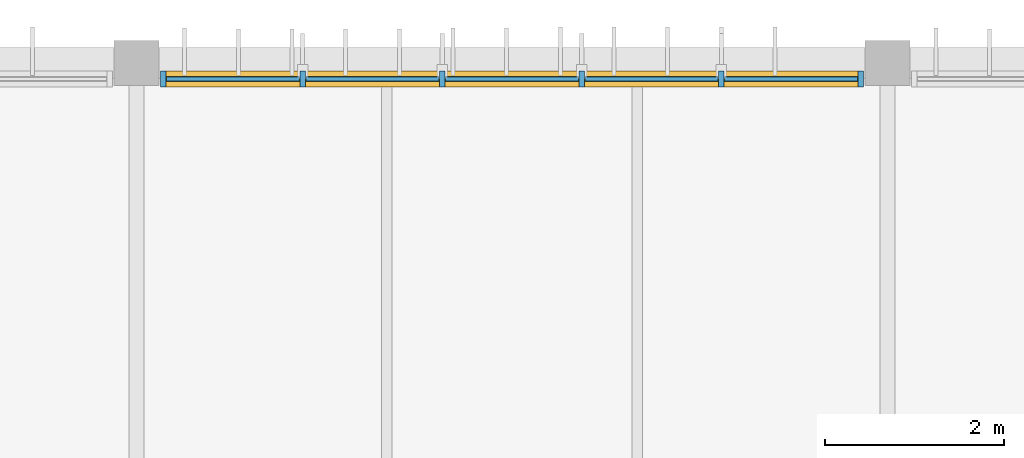
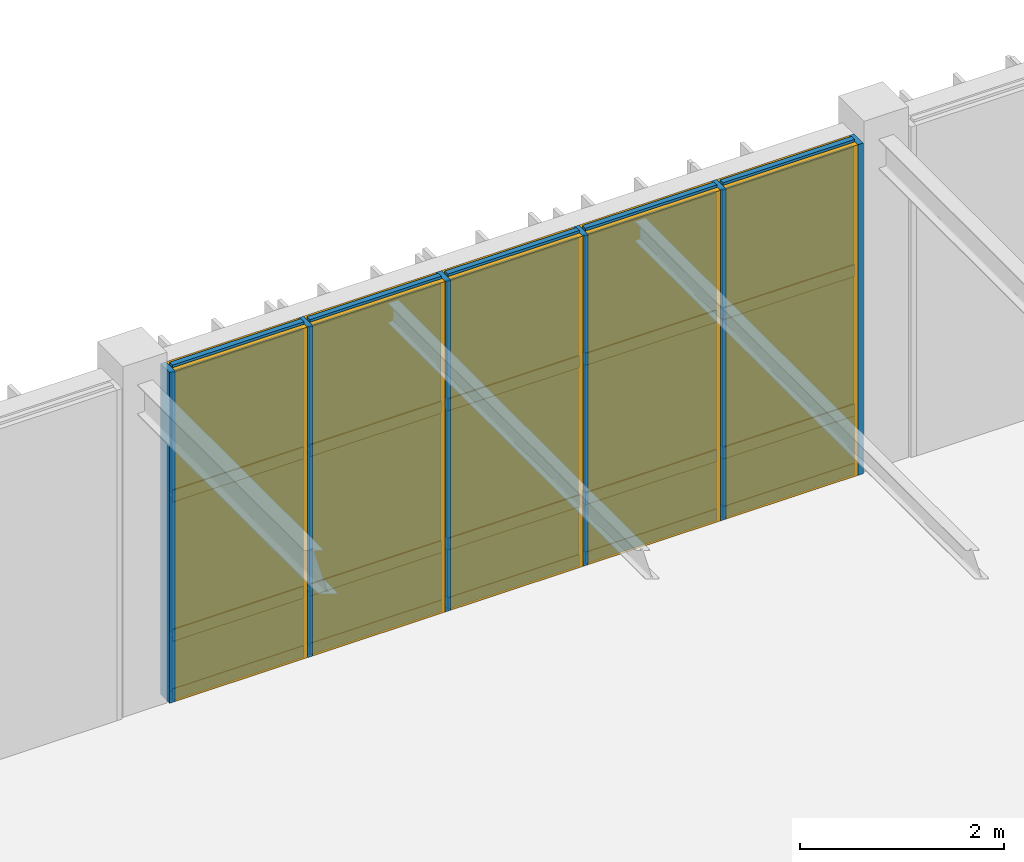
# One storey, part 88 of 104: 26 members, 15 plates, 1 curtain wall.
"""IFC4 building model written with IfcOpenShell, lengths in metres."""

from ifc_helpers import new_model, si_unit, direction, frame, frame_2d, origin, origin_2d, place, context, subcontext, project, spatial, rectangle, extrude, material, layer, layer_set, material_profile, profile_set, type_object, element, aggregate, save


model = new_model("IFC4")

# Units and contexts
model_context = context("Model", 3, precision=1e-05, world=origin(), true_north=direction((0.0, 1.0)))
body_context = subcontext(model_context, "Body", "Model", "MODEL_VIEW")
ifc_project = project(units=[si_unit("LENGTHUNIT", "METRE"), si_unit("AREAUNIT", "SQUARE_METRE"), si_unit("VOLUMEUNIT", "CUBIC_METRE"), si_unit("PLANEANGLEUNIT", "RADIAN"), si_unit("MASSUNIT", "GRAM", prefix="KILO")], contexts=[model_context])

# Member
ifc_material_1 = material(Name="Anodised Bronze Aluminium 6063-T6", Category="aluminium")
ifc_material_profile_1 = material_profile(ifc_material_1, rectangle(XDim=0.06005859375, YDim=0.179931640625, at=origin_2d()), Name="ALU MULLION 60x180")
ifc_profile_set_1 = profile_set([ifc_material_profile_1], Name="Anodised Bronze Aluminium 6063-T6")
member_type_1 = type_object("IfcMemberType", Name="Curtain-Wall Primary Mullion 60x180", PredefinedType="MULLION", material=ifc_profile_set_1)
site_placement = place(None, origin())
building_placement = place(site_placement, origin())
storey_placement = place(building_placement, frame((0.0, 0.0, 9.0)))
member_1_placement = place(storey_placement, frame((134.10009765625, 111.6201171875, 0.0), z_axis=(0.0, 0.0, 1.0), x_axis=(1.0, 0.0, 0.0)))
member_1 = element("IfcMember", 1, at=member_1_placement, type_object=member_type_1, Name="Mullion CWM-01 CW-V3-N3-L02-B2-M01", PredefinedType="MULLION", context=body_context, shape_type="SweptSolid", body=[
    extrude(rectangle(XDim=0.06005859375, YDim=0.179931640625, at=origin_2d()), origin(), (0.0, 0.0, 1.0), 3.9599609375),
])

member_2_placement = place(storey_placement, frame((135.659912109375, 111.6201171875, 0.0), z_axis=(0.0, 0.0, 1.0), x_axis=(1.0, 0.0, 0.0)))
member_2 = element("IfcMember", 2, at=member_2_placement, type_object=member_type_1, Name="Mullion CWM-01 CW-V3-N3-L02-B2-M02", PredefinedType="MULLION", context=body_context, shape_type="SweptSolid", body=[
    extrude(rectangle(XDim=0.06005859375, YDim=0.179931640625, at=origin_2d()), origin(), (0.0, 0.0, 1.0), 3.9599609375),
])

member_3_placement = place(storey_placement, frame((137.219970703125, 111.6201171875, 0.0), z_axis=(0.0, 0.0, 1.0), x_axis=(1.0, 0.0, 0.0)))
member_3 = element("IfcMember", 3, at=member_3_placement, type_object=member_type_1, Name="Mullion CWM-01 CW-V3-N3-L02-B2-M03", PredefinedType="MULLION", context=body_context, shape_type="SweptSolid", body=[
    extrude(rectangle(XDim=0.06005859375, YDim=0.179931640625, at=origin_2d()), origin(), (0.0, 0.0, 1.0), 3.9599609375),
])

member_4_placement = place(storey_placement, frame((138.780029296875, 111.6201171875, 0.0), z_axis=(0.0, 0.0, 1.0), x_axis=(1.0, 0.0, 0.0)))
member_4 = element("IfcMember", 4, at=member_4_placement, type_object=member_type_1, Name="Mullion CWM-01 CW-V3-N3-L02-B2-M04", PredefinedType="MULLION", context=body_context, shape_type="SweptSolid", body=[
    extrude(rectangle(XDim=0.06005859375, YDim=0.179931640625, at=origin_2d()), origin(), (0.0, 0.0, 1.0), 3.9599609375),
])

member_5_placement = place(storey_placement, frame((140.340087890625, 111.6201171875, 0.0), z_axis=(0.0, 0.0, 1.0), x_axis=(1.0, 0.0, 0.0)))
member_5 = element("IfcMember", 5, at=member_5_placement, type_object=member_type_1, Name="Mullion CWM-01 CW-V3-N3-L02-B2-M05", PredefinedType="MULLION", context=body_context, shape_type="SweptSolid", body=[
    extrude(rectangle(XDim=0.06005859375, YDim=0.179931640625, at=origin_2d()), origin(), (0.0, 0.0, 1.0), 3.9599609375),
])

member_6_placement = place(storey_placement, frame((141.89990234375, 111.6201171875, 0.0), z_axis=(0.0, 0.0, 1.0), x_axis=(1.0, 0.0, 0.0)))
member_6 = element("IfcMember", 6, at=member_6_placement, type_object=member_type_1, Name="Mullion CWM-01 CW-V3-N3-L02-B2-M06", PredefinedType="MULLION", context=body_context, shape_type="SweptSolid", body=[
    extrude(rectangle(XDim=0.06005859375, YDim=0.179931640625, at=origin_2d()), origin(), (0.0, 0.0, 1.0), 3.9599609375),
])

ifc_material_profile_2 = material_profile(ifc_material_1, rectangle(XDim=0.06005859375, YDim=0.139892578125, at=origin_2d()), Name="ALU TRANSOM 60x140")
ifc_profile_set_2 = profile_set([ifc_material_profile_2], Name="Anodised Bronze Aluminium 6063-T6")
member_type_2 = type_object("IfcMemberType", Name="Curtain-Wall Transom 60x140", PredefinedType="USERDEFINED", material=ifc_profile_set_2)
member_7_placement = place(storey_placement, frame((134.135009765625, 111.6201171875, 0.0400390625), z_axis=(1.0, 0.0, 0.0), x_axis=(0.0, 1.0, 0.0)))
member_7 = element("IfcMember", 7, at=member_7_placement, type_object=member_type_2, Name="Transom CWT-01 CW-V3-N3-L02-B2-T01.1", ObjectType="TRANSOM", PredefinedType="USERDEFINED", context=body_context, shape_type="SweptSolid", body=[
    extrude(rectangle(XDim=0.06005859375, YDim=0.139892578125, at=origin_2d()), origin(), (0.0, 0.0, 1.0), 1.489990234375),
])

member_8_placement = place(storey_placement, frame((134.135009765625, 111.6201171875, 0.75), z_axis=(1.0, 0.0, 0.0), x_axis=(0.0, 1.0, 0.0)))
member_8 = element("IfcMember", 8, at=member_8_placement, type_object=member_type_2, Name="Transom CWT-01 CW-V3-N3-L02-B2-T01.2", ObjectType="TRANSOM", PredefinedType="USERDEFINED", context=body_context, shape_type="SweptSolid", body=[
    extrude(rectangle(XDim=0.06005859375, YDim=0.139892578125, at=origin_2d()), origin(), (0.0, 0.0, 1.0), 1.489990234375),
])

member_9_placement = place(storey_placement, frame((134.135009765625, 111.6201171875, 2.419189453125), z_axis=(1.0, 0.0, 0.0), x_axis=(0.0, 1.0, 0.0)))
member_9 = element("IfcMember", 9, at=member_9_placement, type_object=member_type_2, Name="Transom CWT-01 CW-V3-N3-L02-B2-T01.3", ObjectType="TRANSOM", PredefinedType="USERDEFINED", context=body_context, shape_type="SweptSolid", body=[
    extrude(rectangle(XDim=0.06005859375, YDim=0.139892578125, at=origin_2d()), origin(), (0.0, 0.0, 1.0), 1.489990234375),
])

member_10_placement = place(storey_placement, frame((134.135009765625, 111.6201171875, 3.919921875), z_axis=(1.0, 0.0, 0.0), x_axis=(0.0, 1.0, 0.0)))
member_10 = element("IfcMember", 10, at=member_10_placement, type_object=member_type_2, Name="Transom CWT-01 CW-V3-N3-L02-B2-T01.4", ObjectType="TRANSOM", PredefinedType="USERDEFINED", context=body_context, shape_type="SweptSolid", body=[
    extrude(rectangle(XDim=0.06005859375, YDim=0.139892578125, at=origin_2d()), origin(), (0.0, 0.0, 1.0), 1.489990234375),
])

member_11_placement = place(storey_placement, frame((135.695068359375, 111.6201171875, 0.0400390625), z_axis=(1.0, 0.0, 0.0), x_axis=(0.0, 1.0, 0.0)))
member_11 = element("IfcMember", 11, at=member_11_placement, type_object=member_type_2, Name="Transom CWT-01 CW-V3-N3-L02-B2-T02.1", ObjectType="TRANSOM", PredefinedType="USERDEFINED", context=body_context, shape_type="SweptSolid", body=[
    extrude(rectangle(XDim=0.06005859375, YDim=0.139892578125, at=origin_2d()), origin(), (0.0, 0.0, 1.0), 1.489990234375),
])

member_12_placement = place(storey_placement, frame((135.695068359375, 111.6201171875, 0.75), z_axis=(1.0, 0.0, 0.0), x_axis=(0.0, 1.0, 0.0)))
member_12 = element("IfcMember", 12, at=member_12_placement, type_object=member_type_2, Name="Transom CWT-01 CW-V3-N3-L02-B2-T02.2", ObjectType="TRANSOM", PredefinedType="USERDEFINED", context=body_context, shape_type="SweptSolid", body=[
    extrude(rectangle(XDim=0.06005859375, YDim=0.139892578125, at=origin_2d()), origin(), (0.0, 0.0, 1.0), 1.489990234375),
])

member_13_placement = place(storey_placement, frame((135.695068359375, 111.6201171875, 2.419189453125), z_axis=(1.0, 0.0, 0.0), x_axis=(0.0, 1.0, 0.0)))
member_13 = element("IfcMember", 13, at=member_13_placement, type_object=member_type_2, Name="Transom CWT-01 CW-V3-N3-L02-B2-T02.3", ObjectType="TRANSOM", PredefinedType="USERDEFINED", context=body_context, shape_type="SweptSolid", body=[
    extrude(rectangle(XDim=0.06005859375, YDim=0.139892578125, at=origin_2d()), origin(), (0.0, 0.0, 1.0), 1.489990234375),
])

member_14_placement = place(storey_placement, frame((135.695068359375, 111.6201171875, 3.919921875), z_axis=(1.0, 0.0, 0.0), x_axis=(0.0, 1.0, 0.0)))
member_14 = element("IfcMember", 14, at=member_14_placement, type_object=member_type_2, Name="Transom CWT-01 CW-V3-N3-L02-B2-T02.4", ObjectType="TRANSOM", PredefinedType="USERDEFINED", context=body_context, shape_type="SweptSolid", body=[
    extrude(rectangle(XDim=0.06005859375, YDim=0.139892578125, at=origin_2d()), origin(), (0.0, 0.0, 1.0), 1.489990234375),
])

member_15_placement = place(storey_placement, frame((137.2548828125, 111.6201171875, 0.0400390625), z_axis=(1.0, 0.0, 0.0), x_axis=(0.0, 1.0, 0.0)))
member_15 = element("IfcMember", 15, at=member_15_placement, type_object=member_type_2, Name="Transom CWT-01 CW-V3-N3-L02-B2-T03.1", ObjectType="TRANSOM", PredefinedType="USERDEFINED", context=body_context, shape_type="SweptSolid", body=[
    extrude(rectangle(XDim=0.06005859375, YDim=0.139892578125, at=origin_2d()), origin(), (0.0, 0.0, 1.0), 1.490234375),
])

member_16_placement = place(storey_placement, frame((137.2548828125, 111.6201171875, 0.75), z_axis=(1.0, 0.0, 0.0), x_axis=(0.0, 1.0, 0.0)))
member_16 = element("IfcMember", 16, at=member_16_placement, type_object=member_type_2, Name="Transom CWT-01 CW-V3-N3-L02-B2-T03.2", ObjectType="TRANSOM", PredefinedType="USERDEFINED", context=body_context, shape_type="SweptSolid", body=[
    extrude(rectangle(XDim=0.06005859375, YDim=0.139892578125, at=origin_2d()), origin(), (0.0, 0.0, 1.0), 1.490234375),
])

member_17_placement = place(storey_placement, frame((137.2548828125, 111.6201171875, 2.419189453125), z_axis=(1.0, 0.0, 0.0), x_axis=(0.0, 1.0, 0.0)))
member_17 = element("IfcMember", 17, at=member_17_placement, type_object=member_type_2, Name="Transom CWT-01 CW-V3-N3-L02-B2-T03.3", ObjectType="TRANSOM", PredefinedType="USERDEFINED", context=body_context, shape_type="SweptSolid", body=[
    extrude(rectangle(XDim=0.06005859375, YDim=0.139892578125, at=origin_2d()), origin(), (0.0, 0.0, 1.0), 1.490234375),
])

member_18_placement = place(storey_placement, frame((137.2548828125, 111.6201171875, 3.919921875), z_axis=(1.0, 0.0, 0.0), x_axis=(0.0, 1.0, 0.0)))
member_18 = element("IfcMember", 18, at=member_18_placement, type_object=member_type_2, Name="Transom CWT-01 CW-V3-N3-L02-B2-T03.4", ObjectType="TRANSOM", PredefinedType="USERDEFINED", context=body_context, shape_type="SweptSolid", body=[
    extrude(rectangle(XDim=0.06005859375, YDim=0.139892578125, at=origin_2d()), origin(), (0.0, 0.0, 1.0), 1.490234375),
])

member_19_placement = place(storey_placement, frame((138.81494140625, 111.6201171875, 0.0400390625), z_axis=(1.0, 0.0, 0.0), x_axis=(0.0, 1.0, 0.0)))
member_19 = element("IfcMember", 19, at=member_19_placement, type_object=member_type_2, Name="Transom CWT-01 CW-V3-N3-L02-B2-T04.1", ObjectType="TRANSOM", PredefinedType="USERDEFINED", context=body_context, shape_type="SweptSolid", body=[
    extrude(rectangle(XDim=0.06005859375, YDim=0.139892578125, at=origin_2d()), origin(), (0.0, 0.0, 1.0), 1.489990234375),
])

member_20_placement = place(storey_placement, frame((138.81494140625, 111.6201171875, 0.75), z_axis=(1.0, 0.0, 0.0), x_axis=(0.0, 1.0, 0.0)))
member_20 = element("IfcMember", 20, at=member_20_placement, type_object=member_type_2, Name="Transom CWT-01 CW-V3-N3-L02-B2-T04.2", ObjectType="TRANSOM", PredefinedType="USERDEFINED", context=body_context, shape_type="SweptSolid", body=[
    extrude(rectangle(XDim=0.06005859375, YDim=0.139892578125, at=origin_2d()), origin(), (0.0, 0.0, 1.0), 1.489990234375),
])

member_21_placement = place(storey_placement, frame((138.81494140625, 111.6201171875, 2.419189453125), z_axis=(1.0, 0.0, 0.0), x_axis=(0.0, 1.0, 0.0)))
member_21 = element("IfcMember", 21, at=member_21_placement, type_object=member_type_2, Name="Transom CWT-01 CW-V3-N3-L02-B2-T04.3", ObjectType="TRANSOM", PredefinedType="USERDEFINED", context=body_context, shape_type="SweptSolid", body=[
    extrude(rectangle(XDim=0.06005859375, YDim=0.139892578125, at=origin_2d()), origin(), (0.0, 0.0, 1.0), 1.489990234375),
])

member_22_placement = place(storey_placement, frame((138.81494140625, 111.6201171875, 3.919921875), z_axis=(1.0, 0.0, 0.0), x_axis=(0.0, 1.0, 0.0)))
member_22 = element("IfcMember", 22, at=member_22_placement, type_object=member_type_2, Name="Transom CWT-01 CW-V3-N3-L02-B2-T04.4", ObjectType="TRANSOM", PredefinedType="USERDEFINED", context=body_context, shape_type="SweptSolid", body=[
    extrude(rectangle(XDim=0.06005859375, YDim=0.139892578125, at=origin_2d()), origin(), (0.0, 0.0, 1.0), 1.489990234375),
])

member_23_placement = place(storey_placement, frame((140.375, 111.6201171875, 0.0400390625), z_axis=(1.0, 0.0, 0.0), x_axis=(0.0, 1.0, 0.0)))
member_23 = element("IfcMember", 23, at=member_23_placement, type_object=member_type_2, Name="Transom CWT-01 CW-V3-N3-L02-B2-T05.1", ObjectType="TRANSOM", PredefinedType="USERDEFINED", context=body_context, shape_type="SweptSolid", body=[
    extrude(rectangle(XDim=0.06005859375, YDim=0.139892578125, at=origin_2d()), origin(), (0.0, 0.0, 1.0), 1.489990234375),
])

member_24_placement = place(storey_placement, frame((140.375, 111.6201171875, 0.75), z_axis=(1.0, 0.0, 0.0), x_axis=(0.0, 1.0, 0.0)))
member_24 = element("IfcMember", 24, at=member_24_placement, type_object=member_type_2, Name="Transom CWT-01 CW-V3-N3-L02-B2-T05.2", ObjectType="TRANSOM", PredefinedType="USERDEFINED", context=body_context, shape_type="SweptSolid", body=[
    extrude(rectangle(XDim=0.06005859375, YDim=0.139892578125, at=origin_2d()), origin(), (0.0, 0.0, 1.0), 1.489990234375),
])

member_25_placement = place(storey_placement, frame((140.375, 111.6201171875, 2.419189453125), z_axis=(1.0, 0.0, 0.0), x_axis=(0.0, 1.0, 0.0)))
member_25 = element("IfcMember", 25, at=member_25_placement, type_object=member_type_2, Name="Transom CWT-01 CW-V3-N3-L02-B2-T05.3", ObjectType="TRANSOM", PredefinedType="USERDEFINED", context=body_context, shape_type="SweptSolid", body=[
    extrude(rectangle(XDim=0.06005859375, YDim=0.139892578125, at=origin_2d()), origin(), (0.0, 0.0, 1.0), 1.489990234375),
])

member_26_placement = place(storey_placement, frame((140.375, 111.6201171875, 3.919921875), z_axis=(1.0, 0.0, 0.0), x_axis=(0.0, 1.0, 0.0)))
member_26 = element("IfcMember", 26, at=member_26_placement, type_object=member_type_2, Name="Transom CWT-01 CW-V3-N3-L02-B2-T05.4", ObjectType="TRANSOM", PredefinedType="USERDEFINED", context=body_context, shape_type="SweptSolid", body=[
    extrude(rectangle(XDim=0.06005859375, YDim=0.139892578125, at=origin_2d()), origin(), (0.0, 0.0, 1.0), 1.489990234375),
])

# Plate
ifc_material_2 = material(Name="Insulated Bronze Aluminium Spandrel Panel", Category="aluminium")
ifc_layer_1 = layer(ifc_material_2, 0.050048828125, Name="Insulated Bronze Aluminium Spandrel Panel")
ifc_layer_set_1 = layer_set([ifc_layer_1], Name="Insulated Bronze Aluminium Spandrel Panel")
plate_type_1 = type_object("IfcPlateType", Name="Insulated Anodised Aluminium Spandrel Cassette 50", PredefinedType="CURTAIN_PANEL", material=ifc_layer_set_1)
plate_1_placement = place(storey_placement, frame((134.8798828125, 111.6201171875, 0.070068359375), z_axis=(0.0, 0.0, 1.0), x_axis=(1.0, 0.0, 0.0)))
plate_1 = element("IfcPlate", 27, at=plate_1_placement, type_object=plate_type_1, Name="Curtain Panel CWP-03 CW-V3-N3-L02-B2-P01.1", PredefinedType="CURTAIN_PANEL", context=body_context, shape_type="SweptSolid", body=[
    extrude(rectangle(XDim=1.489990234375, YDim=0.050048828125, at=origin_2d()), origin(), (0.0, 0.0, 1.0), 0.64990234375),
])

plate_2_placement = place(storey_placement, frame((136.43994140625, 111.6201171875, 0.070068359375), z_axis=(0.0, 0.0, 1.0), x_axis=(1.0, 0.0, 0.0)))
plate_2 = element("IfcPlate", 28, at=plate_2_placement, type_object=plate_type_1, Name="Curtain Panel CWP-03 CW-V3-N3-L02-B2-P02.1", PredefinedType="CURTAIN_PANEL", context=body_context, shape_type="SweptSolid", body=[
    extrude(rectangle(XDim=1.489990234375, YDim=0.050048828125, at=origin_2d()), origin(), (0.0, 0.0, 1.0), 0.64990234375),
])

plate_3_placement = place(storey_placement, frame((138.0, 111.6201171875, 0.070068359375), z_axis=(0.0, 0.0, 1.0), x_axis=(1.0, 0.0, 0.0)))
plate_3 = element("IfcPlate", 29, at=plate_3_placement, type_object=plate_type_1, Name="Curtain Panel CWP-03 CW-V3-N3-L02-B2-P03.1", PredefinedType="CURTAIN_PANEL", context=body_context, shape_type="SweptSolid", body=[
    extrude(rectangle(XDim=1.489990234375, YDim=0.050048828125, at=origin_2d()), origin(), (0.0, 0.0, 1.0), 0.64990234375),
])

plate_4_placement = place(storey_placement, frame((139.56005859375, 111.6201171875, 0.070068359375), z_axis=(0.0, 0.0, 1.0), x_axis=(1.0, 0.0, 0.0)))
plate_4 = element("IfcPlate", 30, at=plate_4_placement, type_object=plate_type_1, Name="Curtain Panel CWP-03 CW-V3-N3-L02-B2-P04.1", PredefinedType="CURTAIN_PANEL", context=body_context, shape_type="SweptSolid", body=[
    extrude(rectangle(XDim=1.489990234375, YDim=0.050048828125, at=origin_2d()), origin(), (0.0, 0.0, 1.0), 0.64990234375),
])

plate_5_placement = place(storey_placement, frame((141.1201171875, 111.6201171875, 0.070068359375), z_axis=(0.0, 0.0, 1.0), x_axis=(1.0, 0.0, 0.0)))
plate_5 = element("IfcPlate", 31, at=plate_5_placement, type_object=plate_type_1, Name="Curtain Panel CWP-03 CW-V3-N3-L02-B2-P05.1", PredefinedType="CURTAIN_PANEL", context=body_context, shape_type="SweptSolid", body=[
    extrude(rectangle(XDim=1.489990234375, YDim=0.050048828125, at=origin_2d()), origin(), (0.0, 0.0, 1.0), 0.64990234375),
])

ifc_material_3 = material(Name="Solar-Control Tempered Double Glazing", Category="glass")
ifc_layer_2 = layer(ifc_material_3, 0.0380859375, Name="Solar-Control Tempered Double Glazing")
ifc_layer_set_2 = layer_set([ifc_layer_2], Name="Solar-Control Tempered Double Glazing")
plate_type_2 = type_object("IfcPlateType", Name="Solar-Control Vision Glazing Unit 38", PredefinedType="CURTAIN_PANEL", material=ifc_layer_set_2)
plate_6_placement = place(storey_placement, frame((134.8798828125, 111.6201171875, 0.7802734375), z_axis=(0.0, 0.0, 1.0), x_axis=(1.0, 0.0, 0.0)))
plate_6 = element("IfcPlate", 32, at=plate_6_placement, type_object=plate_type_2, Name="Curtain Panel CWP-02 CW-V3-N3-L02-B2-P01.2", PredefinedType="CURTAIN_PANEL", context=body_context, shape_type="SweptSolid", body=[
    extrude(rectangle(XDim=1.489990234375, YDim=0.0380859375, at=origin_2d()), origin(), (0.0, 0.0, 1.0), 1.609130859375),
])

plate_7_placement = place(storey_placement, frame((134.8798828125, 111.6201171875, 2.44921875), z_axis=(0.0, 0.0, 1.0), x_axis=(1.0, 0.0, 0.0)))
plate_7 = element("IfcPlate", 33, at=plate_7_placement, type_object=plate_type_2, Name="Curtain Panel CWP-02 CW-V3-N3-L02-B2-P01.3", PredefinedType="CURTAIN_PANEL", context=body_context, shape_type="SweptSolid", body=[
    extrude(rectangle(XDim=1.489990234375, YDim=0.0380859375, at=origin_2d()), origin(), (0.0, 0.0, 1.0), 1.44091796875),
])

plate_8_placement = place(storey_placement, frame((136.43994140625, 111.6201171875, 0.7802734375), z_axis=(0.0, 0.0, 1.0), x_axis=(1.0, 0.0, 0.0)))
plate_8 = element("IfcPlate", 34, at=plate_8_placement, type_object=plate_type_2, Name="Curtain Panel CWP-02 CW-V3-N3-L02-B2-P02.2", PredefinedType="CURTAIN_PANEL", context=body_context, shape_type="SweptSolid", body=[
    extrude(rectangle(XDim=1.489990234375, YDim=0.0380859375, at=origin_2d()), origin(), (0.0, 0.0, 1.0), 1.609130859375),
])

plate_9_placement = place(storey_placement, frame((136.43994140625, 111.6201171875, 2.44921875), z_axis=(0.0, 0.0, 1.0), x_axis=(1.0, 0.0, 0.0)))
plate_9 = element("IfcPlate", 35, at=plate_9_placement, type_object=plate_type_2, Name="Curtain Panel CWP-02 CW-V3-N3-L02-B2-P02.3", PredefinedType="CURTAIN_PANEL", context=body_context, shape_type="SweptSolid", body=[
    extrude(rectangle(XDim=1.489990234375, YDim=0.0380859375, at=origin_2d()), origin(), (0.0, 0.0, 1.0), 1.44091796875),
])

plate_10_placement = place(storey_placement, frame((138.0, 111.6201171875, 0.7802734375), z_axis=(0.0, 0.0, 1.0), x_axis=(1.0, 0.0, 0.0)))
plate_10 = element("IfcPlate", 36, at=plate_10_placement, type_object=plate_type_2, Name="Curtain Panel CWP-02 CW-V3-N3-L02-B2-P03.2", PredefinedType="CURTAIN_PANEL", context=body_context, shape_type="SweptSolid", body=[
    extrude(rectangle(XDim=1.489990234375, YDim=0.0380859375, at=origin_2d()), origin(), (0.0, 0.0, 1.0), 1.609130859375),
])

plate_11_placement = place(storey_placement, frame((138.0, 111.6201171875, 2.44921875), z_axis=(0.0, 0.0, 1.0), x_axis=(1.0, 0.0, 0.0)))
plate_11 = element("IfcPlate", 37, at=plate_11_placement, type_object=plate_type_2, Name="Curtain Panel CWP-02 CW-V3-N3-L02-B2-P03.3", PredefinedType="CURTAIN_PANEL", context=body_context, shape_type="SweptSolid", body=[
    extrude(rectangle(XDim=1.489990234375, YDim=0.0380859375, at=origin_2d()), origin(), (0.0, 0.0, 1.0), 1.44091796875),
])

plate_12_placement = place(storey_placement, frame((139.56005859375, 111.6201171875, 0.7802734375), z_axis=(0.0, 0.0, 1.0), x_axis=(1.0, 0.0, 0.0)))
plate_12 = element("IfcPlate", 38, at=plate_12_placement, type_object=plate_type_2, Name="Curtain Panel CWP-02 CW-V3-N3-L02-B2-P04.2", PredefinedType="CURTAIN_PANEL", context=body_context, shape_type="SweptSolid", body=[
    extrude(rectangle(XDim=1.489990234375, YDim=0.0380859375, at=origin_2d()), origin(), (0.0, 0.0, 1.0), 1.609130859375),
])

plate_13_placement = place(storey_placement, frame((139.56005859375, 111.6201171875, 2.44921875), z_axis=(0.0, 0.0, 1.0), x_axis=(1.0, 0.0, 0.0)))
plate_13 = element("IfcPlate", 39, at=plate_13_placement, type_object=plate_type_2, Name="Curtain Panel CWP-02 CW-V3-N3-L02-B2-P04.3", PredefinedType="CURTAIN_PANEL", context=body_context, shape_type="SweptSolid", body=[
    extrude(rectangle(XDim=1.489990234375, YDim=0.0380859375, at=origin_2d()), origin(), (0.0, 0.0, 1.0), 1.44091796875),
])

plate_14_placement = place(storey_placement, frame((141.1201171875, 111.6201171875, 0.7802734375), z_axis=(0.0, 0.0, 1.0), x_axis=(1.0, 0.0, 0.0)))
plate_14 = element("IfcPlate", 40, at=plate_14_placement, type_object=plate_type_2, Name="Curtain Panel CWP-02 CW-V3-N3-L02-B2-P05.2", PredefinedType="CURTAIN_PANEL", context=body_context, shape_type="SweptSolid", body=[
    extrude(rectangle(XDim=1.489990234375, YDim=0.0380859375, at=origin_2d()), origin(), (0.0, 0.0, 1.0), 1.609130859375),
])

plate_15_placement = place(storey_placement, frame((141.1201171875, 111.6201171875, 2.44921875), z_axis=(0.0, 0.0, 1.0), x_axis=(1.0, 0.0, 0.0)))
plate_15 = element("IfcPlate", 41, at=plate_15_placement, type_object=plate_type_2, Name="Curtain Panel CWP-02 CW-V3-N3-L02-B2-P05.3", PredefinedType="CURTAIN_PANEL", context=body_context, shape_type="SweptSolid", body=[
    extrude(rectangle(XDim=1.489990234375, YDim=0.0380859375, at=origin_2d()), origin(), (0.0, 0.0, 1.0), 1.44091796875),
])

# Site, building, storey
site = spatial("IfcSite", under=ifc_project, at=site_placement, CompositionType="ELEMENT")
building = spatial("IfcBuilding", under=site, at=building_placement, Name="Tazoul Stagehouse", CompositionType="ELEMENT")
storey = spatial("IfcBuildingStorey", under=building, at=storey_placement, Name="L02", CompositionType="ELEMENT", Elevation=9.0)

# Curtain wall
curtain_wall_type = type_object("IfcCurtainWallType", Name="Rehearsal North Daylight Curtain Wall", PredefinedType="NOTDEFINED", material=ifc_material_1)
curtain_wall_placement = place(storey_placement, frame((134.10009765625, 111.6201171875, 0.0), z_axis=(0.0, 0.0, 1.0), x_axis=(1.0, 0.0, 0.0)))
curtain_wall = element("IfcCurtainWall", 42, at=curtain_wall_placement, inside=storey, type_object=curtain_wall_type, Name="L02 Curtain Wall CW-04 (CW-V3-N3-L02-B2)", PredefinedType="NOTDEFINED", context=body_context, shape_type="SweptSolid", body=[
    extrude(rectangle(XDim=7.7998046875, YDim=0.179931640625, at=frame_2d((3.89990234375, 0.0))), origin(), (0.0, 0.0, 1.0), 3.9599609375),
])

aggregate(curtain_wall, [member_1, member_2, member_3, member_4, member_5, member_6, member_7, member_8, member_9, member_10, plate_1, plate_6, plate_7, member_11, member_12, member_13, member_14, plate_2, plate_8, plate_9, member_15, member_16, member_17, member_18, plate_3, plate_10, plate_11, member_19, member_20, member_21, member_22, plate_4, plate_12, plate_13, member_23, member_24, member_25, member_26, plate_5, plate_14, plate_15])

save(model, "model.ifc")
